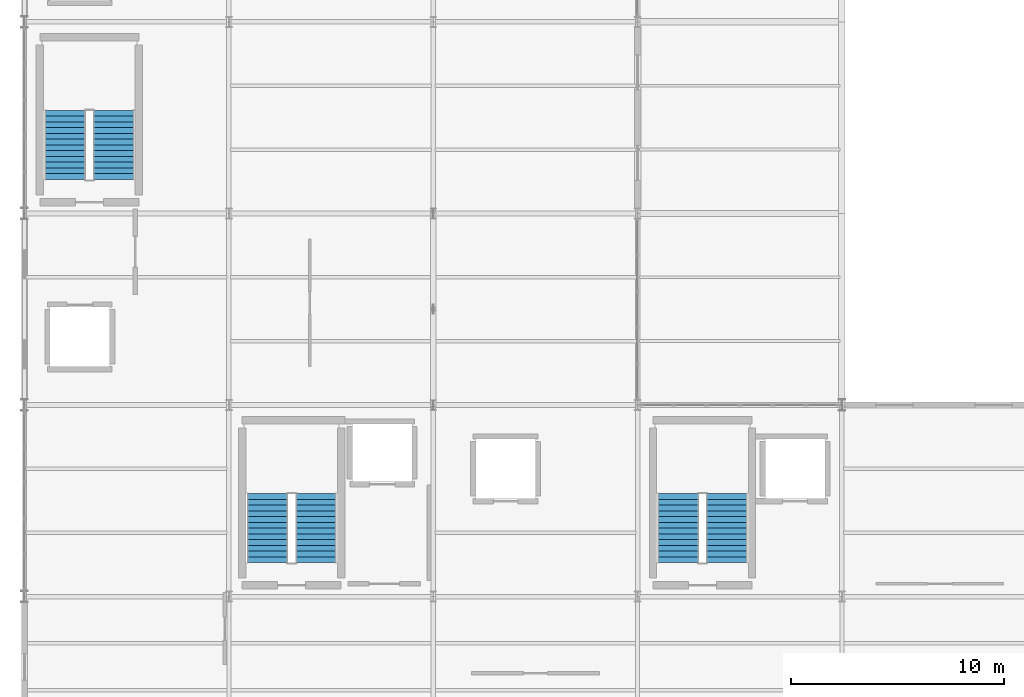
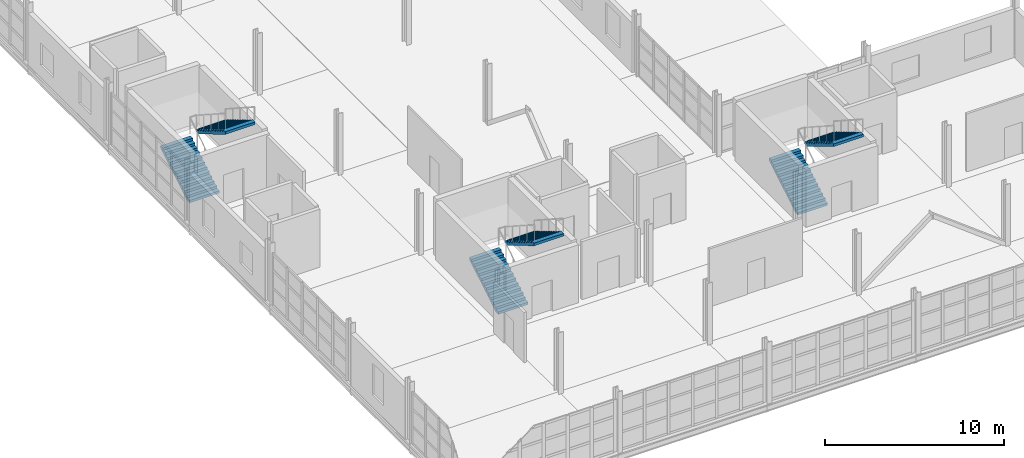
# One storey, part 73 of 82: 6 stair flights, 3 elements without a shape of their own.
"""IFC4 building model written with IfcOpenShell, lengths in metres."""

from ifc_helpers import new_model, si_unit, direction, frame, origin, place, context, subcontext, project, spatial, polyline, outline, extrude, material, type_object, element, aggregate, save


model = new_model("IFC4")

# Units and contexts
model_context = context("Model", 3, precision=1e-05, world=origin(), true_north=direction((0.0, 1.0)))
body_context = subcontext(model_context, "Body", "Model", "MODEL_VIEW")
ifc_project = project(units=[si_unit("LENGTHUNIT", "METRE"), si_unit("AREAUNIT", "SQUARE_METRE"), si_unit("VOLUMEUNIT", "CUBIC_METRE"), si_unit("PLANEANGLEUNIT", "RADIAN"), si_unit("MASSUNIT", "GRAM", prefix="KILO")], contexts=[model_context])

# Site, building, storey
site_placement = place(None, origin())
site = spatial("IfcSite", under=ifc_project, at=site_placement, CompositionType="ELEMENT")
building_placement = place(site_placement, origin())
building = spatial("IfcBuilding", under=site, at=building_placement, Name="Zarnetskaya Central Station", CompositionType="ELEMENT")
storey_placement = place(building_placement, frame((0.0, 0.0, 10.199951171875)))
storey = spatial("IfcBuildingStorey", under=building, at=storey_placement, Name="L02", CompositionType="ELEMENT", Elevation=10.199951171875)

# Stair, stair flights
ifc_material = material(Name="Concrete C30/37", Category="concrete")
stair_type_1 = type_object("IfcStairType", Name="STAIR-ASSY-01", PredefinedType="HALF_TURN_STAIR", material=ifc_material)
stair_1_placement = place(storey_placement, origin())
stair_1 = element("IfcStair", 1, at=stair_1_placement, inside=storey, type_object=stair_type_1, Name="Exit Stair ST-C1 L02", PredefinedType="HALF_TURN_STAIR")
stair_flight_type_1 = type_object("IfcStairFlightType", Name="FLT-TYPE-01", PredefinedType="STRAIGHT", material=ifc_material)
stair_flight_1_placement = place(storey_placement, frame((11.39990234375, 14.800048828125, 0.0), z_axis=(0.0, 0.0, 1.0), x_axis=(0.0, 1.0, 0.0)))
stair_flight_1 = element("IfcStairFlight", 2, at=stair_flight_1_placement, type_object=stair_flight_type_1, Name="ST-03 flight 1", NumberOfRisers=13, NumberOfTreads=12, PredefinedType="STRAIGHT", RiserHeight=0.161538462, TreadLength=0.27, context=body_context, shape_type="SweptSolid", body=[
    extrude(outline(polyline([(0.0, 0.0), (0.0, 0.16162109375), (0.27001953125, 0.16162109375), (0.27001953125, 0.322998046875), (0.5400390625, 0.322998046875), (0.5400390625, 0.484619140625), (0.81005859375, 0.484619140625), (0.81005859375, 0.646240234375), (1.080078125, 0.646240234375), (1.080078125, 0.8076171875), (1.35009765625, 0.8076171875), (1.35009765625, 0.96923828125), (1.6201171875, 0.96923828125), (1.6201171875, 1.130859375), (1.889892578125, 1.130859375), (1.889892578125, 1.292236328125), (2.159912109375, 1.292236328125), (2.159912109375, 1.453857421875), (2.429931640625, 1.453857421875), (2.429931640625, 1.615478515625), (2.699951171875, 1.615478515625), (2.699951171875, 1.77685546875), (2.969970703125, 1.77685546875), (2.969970703125, 1.9384765625), (3.239990234375, 1.9384765625), (3.239990234375, 2.10009765625), (3.239990234375, 1.763671875), (0.2919921875, 0.0), (0.0, 0.0)])), frame((0.0, 0.9599609375, 0.0), z_axis=(0.0, -1.0, 0.0), x_axis=(1.0, 0.0, 0.0)), (0.0, 0.0, 1.0), 1.919921875),
])
stair_flight_2_placement = place(storey_placement, frame((13.699951171875, 18.0400390625, 2.10009765625), z_axis=(0.0, 0.0, 1.0), x_axis=(0.0, -1.0, 0.0)))
stair_flight_2 = element("IfcStairFlight", 3, at=stair_flight_2_placement, type_object=stair_flight_type_1, Name="ST-03 flight 2", NumberOfRisers=13, NumberOfTreads=12, PredefinedType="STRAIGHT", RiserHeight=0.161538462, TreadLength=0.27, context=body_context, shape_type="SweptSolid", body=[
    extrude(outline(polyline([(0.0, 0.0), (0.0, 0.16162109375), (0.27001953125, 0.16162109375), (0.27001953125, 0.322998046875), (0.5400390625, 0.322998046875), (0.5400390625, 0.484619140625), (0.81005859375, 0.484619140625), (0.81005859375, 0.646240234375), (1.080078125, 0.646240234375), (1.080078125, 0.8076171875), (1.35009765625, 0.8076171875), (1.35009765625, 0.96923828125), (1.6201171875, 0.96923828125), (1.6201171875, 1.130859375), (1.889892578125, 1.130859375), (1.889892578125, 1.292236328125), (2.159912109375, 1.292236328125), (2.159912109375, 1.453857421875), (2.429931640625, 1.453857421875), (2.429931640625, 1.615478515625), (2.699951171875, 1.615478515625), (2.699951171875, 1.77685546875), (2.969970703125, 1.77685546875), (2.969970703125, 1.9384765625), (3.239990234375, 1.9384765625), (3.239990234375, 2.10009765625), (3.239990234375, 1.763671875), (0.2919921875, 0.0), (0.0, 0.0)])), frame((0.0, 0.9599609375, 0.0), z_axis=(0.0, -1.0, 0.0), x_axis=(1.0, 0.0, 0.0)), (0.0, 0.0, 1.0), 1.919921875),
])
aggregate(stair_1, [stair_flight_1, stair_flight_2])

stair_type_2 = type_object("IfcStairType", Name="STAIR-ASSY-02", PredefinedType="HALF_TURN_STAIR", material=ifc_material)
stair_2_placement = place(storey_placement, origin())
stair_2 = element("IfcStair", 4, at=stair_2_placement, inside=storey, type_object=stair_type_2, Name="Exit Stair ST-C2 L02", PredefinedType="HALF_TURN_STAIR")
stair_flight_type_2 = type_object("IfcStairFlightType", Name="FLT-TYPE-02", PredefinedType="STRAIGHT", material=ifc_material)
stair_flight_3_placement = place(storey_placement, frame((1.89990234375, 32.800048828125, 0.0), z_axis=(0.0, 0.0, 1.0), x_axis=(0.0, 1.0, 0.0)))
stair_flight_3 = element("IfcStairFlight", 5, at=stair_flight_3_placement, type_object=stair_flight_type_2, Name="ST-07 flight 1", NumberOfRisers=13, NumberOfTreads=12, PredefinedType="STRAIGHT", RiserHeight=0.161538462, TreadLength=0.27, context=body_context, shape_type="SweptSolid", body=[
    extrude(outline(polyline([(0.0, 0.0), (0.0, 0.16162109375), (0.27001953125, 0.16162109375), (0.27001953125, 0.322998046875), (0.5400390625, 0.322998046875), (0.5400390625, 0.484619140625), (0.81005859375, 0.484619140625), (0.81005859375, 0.646240234375), (1.080078125, 0.646240234375), (1.080078125, 0.8076171875), (1.35009765625, 0.8076171875), (1.35009765625, 0.96923828125), (1.6201171875, 0.96923828125), (1.6201171875, 1.130859375), (1.889892578125, 1.130859375), (1.889892578125, 1.292236328125), (2.159912109375, 1.292236328125), (2.159912109375, 1.453857421875), (2.429931640625, 1.453857421875), (2.429931640625, 1.615478515625), (2.699951171875, 1.615478515625), (2.699951171875, 1.77685546875), (2.969970703125, 1.77685546875), (2.969970703125, 1.9384765625), (3.239990234375, 1.9384765625), (3.239990234375, 2.10009765625), (3.239990234375, 1.763671875), (0.2919921875, 0.0), (0.0, 0.0)])), frame((0.0, 0.9599609375, 0.0), z_axis=(0.0, -1.0, 0.0), x_axis=(1.0, 0.0, 0.0)), (0.0, 0.0, 1.0), 1.919921875),
])
stair_flight_4_placement = place(storey_placement, frame((4.199951171875, 36.0400390625, 2.10009765625), z_axis=(0.0, 0.0, 1.0), x_axis=(0.0, -1.0, 0.0)))
stair_flight_4 = element("IfcStairFlight", 6, at=stair_flight_4_placement, type_object=stair_flight_type_2, Name="ST-07 flight 2", NumberOfRisers=13, NumberOfTreads=12, PredefinedType="STRAIGHT", RiserHeight=0.161538462, TreadLength=0.27, context=body_context, shape_type="SweptSolid", body=[
    extrude(outline(polyline([(0.0, 0.0), (0.0, 0.16162109375), (0.27001953125, 0.16162109375), (0.27001953125, 0.322998046875), (0.5400390625, 0.322998046875), (0.5400390625, 0.484619140625), (0.81005859375, 0.484619140625), (0.81005859375, 0.646240234375), (1.080078125, 0.646240234375), (1.080078125, 0.8076171875), (1.35009765625, 0.8076171875), (1.35009765625, 0.96923828125), (1.6201171875, 0.96923828125), (1.6201171875, 1.130859375), (1.889892578125, 1.130859375), (1.889892578125, 1.292236328125), (2.159912109375, 1.292236328125), (2.159912109375, 1.453857421875), (2.429931640625, 1.453857421875), (2.429931640625, 1.615478515625), (2.699951171875, 1.615478515625), (2.699951171875, 1.77685546875), (2.969970703125, 1.77685546875), (2.969970703125, 1.9384765625), (3.239990234375, 1.9384765625), (3.239990234375, 2.10009765625), (3.239990234375, 1.763671875), (0.2919921875, 0.0), (0.0, 0.0)])), frame((0.0, 0.9599609375, 0.0), z_axis=(0.0, -1.0, 0.0), x_axis=(1.0, 0.0, 0.0)), (0.0, 0.0, 1.0), 1.919921875),
])
aggregate(stair_2, [stair_flight_3, stair_flight_4])

stair_type_3 = type_object("IfcStairType", Name="STAIR-ASSY-03", PredefinedType="HALF_TURN_STAIR", material=ifc_material)
stair_3_placement = place(storey_placement, origin())
stair_3 = element("IfcStair", 7, at=stair_3_placement, inside=storey, type_object=stair_type_3, Name="Exit Stair ST-C3 L02", PredefinedType="HALF_TURN_STAIR")
stair_flight_type_3 = type_object("IfcStairFlightType", Name="FLT-TYPE-03", PredefinedType="STRAIGHT", material=ifc_material)
stair_flight_5_placement = place(storey_placement, frame((30.699951171875, 14.800048828125, 0.0), z_axis=(0.0, 0.0, 1.0), x_axis=(0.0, 1.0, 0.0)))
stair_flight_5 = element("IfcStairFlight", 8, at=stair_flight_5_placement, type_object=stair_flight_type_3, Name="ST-04 flight 1", NumberOfRisers=13, NumberOfTreads=12, PredefinedType="STRAIGHT", RiserHeight=0.161538462, TreadLength=0.27, context=body_context, shape_type="SweptSolid", body=[
    extrude(outline(polyline([(0.0, 0.0), (0.0, 0.16162109375), (0.27001953125, 0.16162109375), (0.27001953125, 0.322998046875), (0.5400390625, 0.322998046875), (0.5400390625, 0.484619140625), (0.81005859375, 0.484619140625), (0.81005859375, 0.646240234375), (1.080078125, 0.646240234375), (1.080078125, 0.8076171875), (1.35009765625, 0.8076171875), (1.35009765625, 0.96923828125), (1.6201171875, 0.96923828125), (1.6201171875, 1.130859375), (1.889892578125, 1.130859375), (1.889892578125, 1.292236328125), (2.159912109375, 1.292236328125), (2.159912109375, 1.453857421875), (2.429931640625, 1.453857421875), (2.429931640625, 1.615478515625), (2.699951171875, 1.615478515625), (2.699951171875, 1.77685546875), (2.969970703125, 1.77685546875), (2.969970703125, 1.9384765625), (3.239990234375, 1.9384765625), (3.239990234375, 2.10009765625), (3.239990234375, 1.763671875), (0.2919921875, 0.0), (0.0, 0.0)])), frame((0.0, 0.9599609375, 0.0), z_axis=(0.0, -1.0, 0.0), x_axis=(1.0, 0.0, 0.0)), (0.0, 0.0, 1.0), 1.919921875),
])
stair_flight_6_placement = place(storey_placement, frame((33.0, 18.0400390625, 2.10009765625), z_axis=(0.0, 0.0, 1.0), x_axis=(0.0, -1.0, 0.0)))
stair_flight_6 = element("IfcStairFlight", 9, at=stair_flight_6_placement, type_object=stair_flight_type_3, Name="ST-04 flight 2", NumberOfRisers=13, NumberOfTreads=12, PredefinedType="STRAIGHT", RiserHeight=0.161538462, TreadLength=0.27, context=body_context, shape_type="SweptSolid", body=[
    extrude(outline(polyline([(0.0, 0.0), (0.0, 0.16162109375), (0.27001953125, 0.16162109375), (0.27001953125, 0.322998046875), (0.5400390625, 0.322998046875), (0.5400390625, 0.484619140625), (0.81005859375, 0.484619140625), (0.81005859375, 0.646240234375), (1.080078125, 0.646240234375), (1.080078125, 0.8076171875), (1.35009765625, 0.8076171875), (1.35009765625, 0.96923828125), (1.6201171875, 0.96923828125), (1.6201171875, 1.130859375), (1.889892578125, 1.130859375), (1.889892578125, 1.292236328125), (2.159912109375, 1.292236328125), (2.159912109375, 1.453857421875), (2.429931640625, 1.453857421875), (2.429931640625, 1.615478515625), (2.699951171875, 1.615478515625), (2.699951171875, 1.77685546875), (2.969970703125, 1.77685546875), (2.969970703125, 1.9384765625), (3.239990234375, 1.9384765625), (3.239990234375, 2.10009765625), (3.239990234375, 1.763671875), (0.2919921875, 0.0), (0.0, 0.0)])), frame((0.0, 0.9599609375, 0.0), z_axis=(0.0, -1.0, 0.0), x_axis=(1.0, 0.0, 0.0)), (0.0, 0.0, 1.0), 1.919921875),
])
aggregate(stair_3, [stair_flight_5, stair_flight_6])

save(model, "model.ifc")
